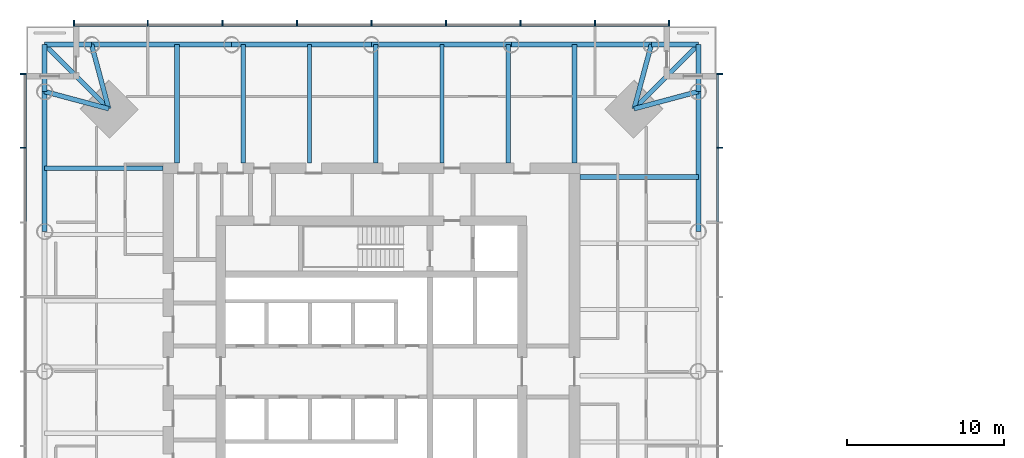
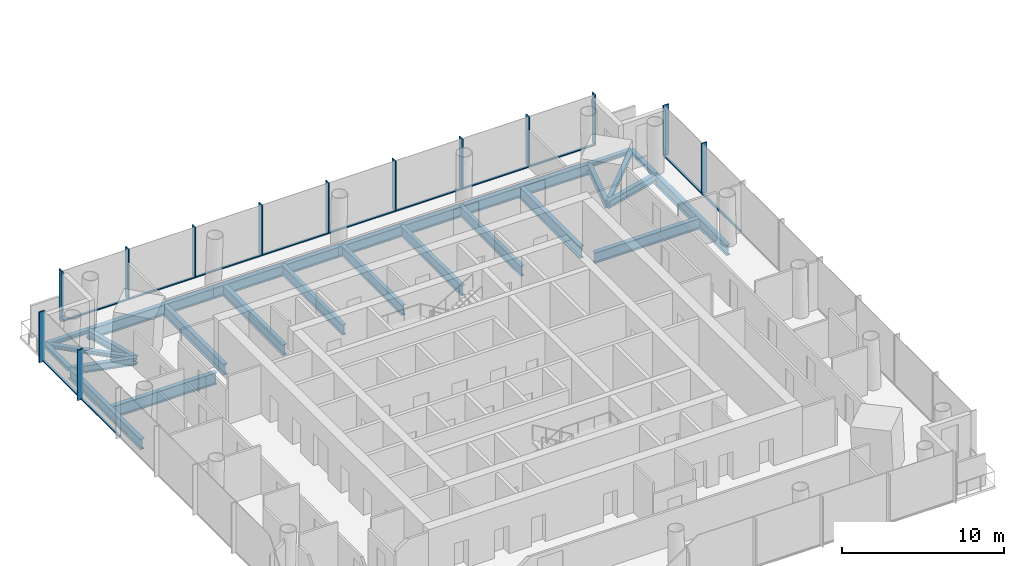
# One storey, part 3 of 19: 25 beams, 25 members, 3 elements without a shape of their own.
"""IFC4 building model written with IfcOpenShell, lengths in metres."""

from ifc_helpers import new_model, si_unit, direction, frame, origin, origin_2d, place, context, subcontext, project, spatial, rectangle, i_section, extrude, material, material_profile, profile_set, type_object, element, aggregate, save


model = new_model("IFC4")

# Units and contexts
model_context = context("Model", 3, precision=1e-05, world=origin(), true_north=direction((0.0, 1.0)))
body_context = subcontext(model_context, "Body", "Model", "MODEL_VIEW")
ifc_project = project(units=[si_unit("LENGTHUNIT", "METRE"), si_unit("AREAUNIT", "SQUARE_METRE"), si_unit("VOLUMEUNIT", "CUBIC_METRE"), si_unit("PLANEANGLEUNIT", "RADIAN"), si_unit("MASSUNIT", "GRAM", prefix="KILO")], contexts=[model_context])

# Site, building, storey
site_placement = place(None, origin())
site = spatial("IfcSite", under=ifc_project, at=site_placement, CompositionType="ELEMENT")
building_placement = place(site_placement, origin())
building = spatial("IfcBuilding", under=site, at=building_placement, Name="Ostroluk Exchange", CompositionType="ELEMENT")
storey_placement = place(building_placement, frame((0.0, 0.0, 119.800048828125)))
storey = spatial("IfcBuildingStorey", under=building, at=storey_placement, Name="L30", CompositionType="ELEMENT", Elevation=119.800048828125)

# Beams
ifc_material_1 = material(Name="Steel S355", Category="steel")
ifc_material_profile_1 = material_profile(ifc_material_1, i_section(OverallWidth=0.300048828125, OverallDepth=0.300048828125, WebThickness=0.010986328125, FlangeThickness=0.01904296875, FilletRadius=0.027099609375, at=origin_2d()), Name="HEB 300")
ifc_profile_set_1 = profile_set([ifc_material_profile_1], Name="Steel S355")
beam_type_1 = type_object("IfcBeamType", Name="Balcony beam HEB 300", PredefinedType="BEAM", material=ifc_profile_set_1)
for number, where, z_axis, x_axis, name in (
    (1, (65.8427734375, 63.8427734375, -0.330078125), (0.0, 1.0, 0.0), (-1.0, 0.0, 0.0), "T1 east balcony beam a"),
    (2, (62.8427734375, 66.8427734375, -0.330078125), (1.0, 0.0, 0.0), (0.0, 1.0, 0.0), "T1 east balcony beam b"),
):
    element("IfcBeam", number, at=place(storey_placement, frame(where, z_axis=z_axis, x_axis=x_axis)), inside=storey, type_object=beam_type_1, Name=name, PredefinedType="BEAM", context=body_context, shape_type="SweptSolid", body=[
        extrude(i_section(OverallWidth=0.300048828125, OverallDepth=0.300048828125, WebThickness=0.010986328125, FlangeThickness=0.01904296875, FilletRadius=0.027099609375, at=origin_2d()), origin(), (0.0, 0.0, 1.0), 3.0),
    ])
beam_1_placement = place(storey_placement, frame((61.742919921875, 62.742919921875, -0.330078125), z_axis=(0.707106781187, 0.707106781187, 0.0), x_axis=(-0.707106781187, 0.707106781187, 0.0)))
element("IfcBeam", 3, at=beam_1_placement, inside=storey, type_object=beam_type_1, Name="T1 east balcony beam c", PredefinedType="BEAM", context=body_context, shape_type="SweptSolid", body=[
    extrude(i_section(OverallWidth=0.300048828125, OverallDepth=0.300048828125, WebThickness=0.010986328125, FlangeThickness=0.01904296875, FilletRadius=0.027099609375, at=origin_2d()), origin(), (0.0, 0.0, 1.0), 5.798095703125),
])
for number, where, z_axis, x_axis, name in (
    (4, (27.1572265625, 66.8427734375, -0.330078125), (-1.0, 0.0, 0.0), (0.0, -1.0, 0.0), "T1 north balcony beam a"),
    (5, (24.1572265625, 63.8427734375, -0.330078125), (0.0, 1.0, 0.0), (-1.0, 0.0, 0.0), "T1 north balcony beam b"),
):
    element("IfcBeam", number, at=place(storey_placement, frame(where, z_axis=z_axis, x_axis=x_axis)), inside=storey, type_object=beam_type_1, Name=name, PredefinedType="BEAM", context=body_context, shape_type="SweptSolid", body=[
        extrude(i_section(OverallWidth=0.300048828125, OverallDepth=0.300048828125, WebThickness=0.010986328125, FlangeThickness=0.01904296875, FilletRadius=0.027099609375, at=origin_2d()), origin(), (0.0, 0.0, 1.0), 3.0),
    ])
beam_2_placement = place(storey_placement, frame((28.257080078125, 62.742919921875, -0.330078125), z_axis=(-0.707106781187, 0.707106781187, 0.0), x_axis=(-0.707106781187, -0.707106781187, 0.0)))
element("IfcBeam", 6, at=beam_2_placement, inside=storey, type_object=beam_type_1, Name="T1 north balcony beam c", PredefinedType="BEAM", context=body_context, shape_type="SweptSolid", body=[
    extrude(i_section(OverallWidth=0.300048828125, OverallDepth=0.300048828125, WebThickness=0.010986328125, FlangeThickness=0.01904296875, FilletRadius=0.027099609375, at=origin_2d()), origin(), (0.0, 0.0, 1.0), 5.798095703125),
])
ifc_material_2 = material(Name="Steel S355", Category="steel")
ifc_material_profile_2 = material_profile(ifc_material_2, i_section(OverallWidth=0.300048828125, OverallDepth=0.550048828125, WebThickness=0.014892578125, FlangeThickness=0.029052734375, FilletRadius=0.027099609375, at=origin_2d()), Name="HEB 550")
ifc_profile_set_2 = profile_set([ifc_material_profile_2], Name="Steel S355")
beam_type_2 = type_object("IfcBeamType", Name="Corner edge beam HEB 550", PredefinedType="SPANDREL", material=ifc_profile_set_2)
for number, where, z_axis, x_axis, name in (
    (7, (61.742919921875, 62.742919921875, -0.455078125), (0.965849156574, 0.259105011038, 0.0), (-0.259105011038, 0.965849156574, 0.0), "T1 east corner edge beam a"),
    (8, (61.742919921875, 62.742919921875, -0.455078125), (0.259105011038, 0.965849156574, 0.0), (-0.965849156574, 0.259105011038, 0.0), "T1 east corner edge beam b"),
    (9, (28.257080078125, 62.742919921875, -0.455078125), (-0.259105011038, 0.965849156574, 0.0), (-0.965849156574, -0.259105011038, 0.0), "T1 north corner edge beam a"),
    (10, (28.257080078125, 62.742919921875, -0.455078125), (-0.965849156574, 0.259105011038, 0.0), (-0.259105011038, -0.965849156574, 0.0), "T1 north corner edge beam b"),
):
    element("IfcBeam", number, at=place(storey_placement, frame(where, z_axis=z_axis, x_axis=x_axis)), inside=storey, type_object=beam_type_2, Name=name, PredefinedType="SPANDREL", context=body_context, shape_type="SweptSolid", body=[
        extrude(i_section(OverallWidth=0.300048828125, OverallDepth=0.550048828125, WebThickness=0.014892578125, FlangeThickness=0.029052734375, FilletRadius=0.027099609375, at=origin_2d()), origin(), (0.0, 0.0, 1.0), 4.244873046875),
    ])
ifc_material_3 = material(Name="Steel S355", Category="steel")
ifc_material_profile_3 = material_profile(ifc_material_3, i_section(OverallWidth=0.302978515625, OverallDepth=0.81396484375, WebThickness=0.02099609375, FlangeThickness=0.0400390625, FilletRadius=0.030029296875, at=origin_2d()), Name="HEM 800")
ifc_profile_set_3 = profile_set([ifc_material_profile_3], Name="Steel S355")
beam_type_3 = type_object("IfcBeamType", Name="Floor beam HEM 800", PredefinedType="BEAM", material=ifc_profile_set_3)
for number, where, z_axis, x_axis, name in (
    (11, (58.300048828125, 58.39453125, -0.587158203125), (1.0, 0.0, 0.0), (0.0, 1.0, 0.0), "T1 east floor beam 6"),
    (12, (36.829345703125, 59.300048828125, -0.587158203125), (0.0, 1.0, 0.0), (-1.0, 0.0, 0.0), "T1 north floor beam 5"),
    (13, (32.60546875, 59.300048828125, -0.587158203125), (0.0, 1.0, 0.0), (-1.0, 0.0, 0.0), "T1 north floor beam 6"),
):
    element("IfcBeam", number, at=place(storey_placement, frame(where, z_axis=z_axis, x_axis=x_axis)), inside=storey, type_object=beam_type_3, Name=name, PredefinedType="BEAM", context=body_context, shape_type="SweptSolid", body=[
        extrude(i_section(OverallWidth=0.302978515625, OverallDepth=0.81396484375, WebThickness=0.02099609375, FlangeThickness=0.0400390625, FilletRadius=0.030029296875, at=origin_2d()), origin(), (0.0, 0.0, 1.0), 7.542724609375),
    ])
ifc_material_4 = material(Name="Steel S355", Category="steel")
ifc_material_profile_4 = material_profile(ifc_material_4, i_section(OverallWidth=0.26708984375, OverallDepth=0.761962890625, WebThickness=0.014404296875, FlangeThickness=0.021484375, FilletRadius=0.01708984375, at=origin_2d()), Name="IPE 750x173")
ifc_profile_set_4 = profile_set([ifc_material_profile_4], Name="Steel S355")
beam_type_4 = type_object("IfcBeamType", Name="Floor beam IPE 750x173", PredefinedType="BEAM", material=ifc_profile_set_4)
for number, where, z_axis, x_axis, name in (
    (14, (53.725830078125, 59.300048828125, -0.56103515625), (0.0, 1.0, 0.0), (-1.0, 0.0, 0.0), "T1 north floor beam 1"),
    (15, (49.501708984375, 59.300048828125, -0.56103515625), (0.0, 1.0, 0.0), (-1.0, 0.0, 0.0), "T1 north floor beam 2"),
    (16, (45.277587890625, 59.300048828125, -0.56103515625), (0.0, 1.0, 0.0), (-1.0, 0.0, 0.0), "T1 north floor beam 3"),
    (17, (41.053466796875, 59.300048828125, -0.56103515625), (0.0, 1.0, 0.0), (-1.0, 0.0, 0.0), "T1 north floor beam 4"),
):
    element("IfcBeam", number, at=place(storey_placement, frame(where, z_axis=z_axis, x_axis=x_axis)), inside=storey, type_object=beam_type_4, Name=name, PredefinedType="BEAM", context=body_context, shape_type="SweptSolid", body=[
        extrude(i_section(OverallWidth=0.26708984375, OverallDepth=0.761962890625, WebThickness=0.014404296875, FlangeThickness=0.021484375, FilletRadius=0.01708984375, at=origin_2d()), origin(), (0.0, 0.0, 1.0), 7.542724609375),
    ])
ifc_material_5 = material(Name="Steel S355", Category="steel")
ifc_material_profile_5 = material_profile(ifc_material_5, i_section(OverallWidth=0.300048828125, OverallDepth=0.89990234375, WebThickness=0.0185546875, FlangeThickness=0.034912109375, FilletRadius=0.030029296875, at=origin_2d()), Name="HEB 900")
ifc_profile_set_5 = profile_set([ifc_material_profile_5], Name="Steel S355")
beam_type_5 = type_object("IfcBeamType", Name="Girder HEB 900", PredefinedType="BEAM", material=ifc_profile_set_5)
for number, where, z_axis, x_axis, name in (
    (18, (57.949951171875, 59.300048828125, -0.630126953125), (0.0, 1.0, 0.0), (-1.0, 0.0, 0.0), "T1 east girder"),
    (19, (31.699951171875, 58.949951171875, -0.630126953125), (-1.0, 0.0, 0.0), (0.0, -1.0, 0.0), "T1 north girder"),
):
    element("IfcBeam", number, at=place(storey_placement, frame(where, z_axis=z_axis, x_axis=x_axis)), inside=storey, type_object=beam_type_5, Name=name, PredefinedType="BEAM", context=body_context, shape_type="SweptSolid", body=[
        extrude(i_section(OverallWidth=0.300048828125, OverallDepth=0.89990234375, WebThickness=0.0185546875, FlangeThickness=0.034912109375, FilletRadius=0.030029296875, at=origin_2d()), origin(), (0.0, 0.0, 1.0), 7.542724609375),
    ])
ifc_material_6 = material(Name="Steel S355", Category="steel")
ifc_material_profile_6 = material_profile(ifc_material_6, i_section(OverallWidth=0.300048828125, OverallDepth=0.800048828125, WebThickness=0.017578125, FlangeThickness=0.032958984375, FilletRadius=0.030029296875, at=origin_2d()), Name="HEB 800")
ifc_profile_set_6 = profile_set([ifc_material_profile_6], Name="Steel S355")
beam_type_6 = type_object("IfcBeamType", Name="Moment-connected edge beam HEB 800", PredefinedType="SPANDREL", material=ifc_profile_set_6)
for number, where, z_axis, x_axis, name in (
    (20, (65.8427734375, 54.92138671875, -0.580078125), (0.0, 1.0, 0.0), (-1.0, 0.0, 0.0), "T1 east edge beam 4"),
    (21, (62.8427734375, 66.8427734375, -0.580078125), (-1.0, 0.0, 0.0), (0.0, -1.0, 0.0), "T1 north edge beam 1"),
    (22, (53.92138671875, 66.8427734375, -0.580078125), (-1.0, 0.0, 0.0), (0.0, -1.0, 0.0), "T1 north edge beam 2"),
    (23, (45.0, 66.8427734375, -0.580078125), (-1.0, 0.0, 0.0), (0.0, -1.0, 0.0), "T1 north edge beam 3"),
    (24, (36.07861328125, 66.8427734375, -0.580078125), (-1.0, 0.0, 0.0), (0.0, -1.0, 0.0), "T1 north edge beam 4"),
    (25, (24.1572265625, 63.8427734375, -0.580078125), (0.0, -1.0, 0.0), (1.0, 0.0, 0.0), "T1 west edge beam 1"),
):
    element("IfcBeam", number, at=place(storey_placement, frame(where, z_axis=z_axis, x_axis=x_axis)), inside=storey, type_object=beam_type_6, Name=name, PredefinedType="SPANDREL", context=body_context, shape_type="SweptSolid", body=[
        extrude(i_section(OverallWidth=0.300048828125, OverallDepth=0.800048828125, WebThickness=0.017578125, FlangeThickness=0.032958984375, FilletRadius=0.030029296875, at=origin_2d()), origin(), (0.0, 0.0, 1.0), 8.92138671875),
    ])

# Curtain wall, members
ifc_material_7 = material(Name="Laminated clear glass", Category="glass")
curtain_wall_type = type_object("IfcCurtainWallType", Name="Office tower facade", PredefinedType="USERDEFINED", material=ifc_material_7)
curtain_wall_1_placement = place(storey_placement, origin())
curtain_wall_1 = element("IfcCurtainWall", 26, at=curtain_wall_1_placement, inside=storey, type_object=curtain_wall_type, Name="Office tower east facade L30", ObjectType="UNITISED CURTAIN WALL", PredefinedType="USERDEFINED")
ifc_material_8 = material(Name="Aluminium mullion", Category="aluminium")
ifc_material_profile_7 = material_profile(ifc_material_8, rectangle(XDim=0.14990234375, YDim=0.080078125, at=origin_2d()), Name="Sill transom 80 x 150")
ifc_profile_set_7 = profile_set([ifc_material_profile_7], Name="Aluminium mullion")
member_type_1 = type_object("IfcMemberType", Name="Sill transom 80 x 150", PredefinedType="USERDEFINED", material=ifc_profile_set_7)
member_1_placement = place(storey_placement, frame((67.074951171875, 55.5400390625, 0.0400390625), z_axis=(0.0, 1.0, 0.0), x_axis=(-1.0, 0.0, 0.0)))
member_1 = element("IfcMember", 27, at=member_1_placement, type_object=member_type_1, Name="CW-O1 transom 7.1", ObjectType="TRANSOM", PredefinedType="USERDEFINED", context=body_context, shape_type="SweptSolid", body=[
    extrude(rectangle(XDim=0.14990234375, YDim=0.080078125, at=origin_2d()), origin(), (0.0, 0.0, 1.0), 4.669921875),
])
member_2_placement = place(storey_placement, frame((67.074951171875, 60.2900390625, 0.0400390625), z_axis=(0.0, 1.0, 0.0), x_axis=(-1.0, 0.0, 0.0)))
member_2 = element("IfcMember", 28, at=member_2_placement, type_object=member_type_1, Name="CW-O1 transom 8.1", ObjectType="TRANSOM", PredefinedType="USERDEFINED", context=body_context, shape_type="SweptSolid", body=[
    extrude(rectangle(XDim=0.14990234375, YDim=0.080078125, at=origin_2d()), origin(), (0.0, 0.0, 1.0), 4.6298828125),
])

curtain_wall_2_placement = place(storey_placement, origin())
curtain_wall_2 = element("IfcCurtainWall", 29, at=curtain_wall_2_placement, inside=storey, type_object=curtain_wall_type, Name="Office tower north facade L30", ObjectType="UNITISED CURTAIN WALL", PredefinedType="USERDEFINED")
member_3_placement = place(storey_placement, frame((63.919921875, 68.074951171875, 0.0400390625), z_axis=(-1.0, 0.0, 0.0), x_axis=(0.0, -1.0, 0.0)))
member_3 = element("IfcMember", 30, at=member_3_placement, type_object=member_type_1, Name="CW-O1 transom 1.1", ObjectType="TRANSOM", PredefinedType="USERDEFINED", context=body_context, shape_type="SweptSolid", body=[
    extrude(rectangle(XDim=0.14990234375, YDim=0.080078125, at=origin_2d()), origin(), (0.0, 0.0, 1.0), 4.6298828125),
])
member_4_placement = place(storey_placement, frame((59.2099609375, 68.074951171875, 0.0400390625), z_axis=(-1.0, 0.0, 0.0), x_axis=(0.0, -1.0, 0.0)))
member_4 = element("IfcMember", 31, at=member_4_placement, type_object=member_type_1, Name="CW-O1 transom 2.1", ObjectType="TRANSOM", PredefinedType="USERDEFINED", context=body_context, shape_type="SweptSolid", body=[
    extrude(rectangle(XDim=0.14990234375, YDim=0.080078125, at=origin_2d()), origin(), (0.0, 0.0, 1.0), 4.669921875),
])
member_5_placement = place(storey_placement, frame((54.4599609375, 68.074951171875, 0.0400390625), z_axis=(-1.0, 0.0, 0.0), x_axis=(0.0, -1.0, 0.0)))
member_5 = element("IfcMember", 32, at=member_5_placement, type_object=member_type_1, Name="CW-O1 transom 3.1", ObjectType="TRANSOM", PredefinedType="USERDEFINED", context=body_context, shape_type="SweptSolid", body=[
    extrude(rectangle(XDim=0.14990234375, YDim=0.080078125, at=origin_2d()), origin(), (0.0, 0.0, 1.0), 4.669921875),
])
member_6_placement = place(storey_placement, frame((49.7099609375, 68.074951171875, 0.0400390625), z_axis=(-1.0, 0.0, 0.0), x_axis=(0.0, -1.0, 0.0)))
member_6 = element("IfcMember", 33, at=member_6_placement, type_object=member_type_1, Name="CW-O1 transom 4.1", ObjectType="TRANSOM", PredefinedType="USERDEFINED", context=body_context, shape_type="SweptSolid", body=[
    extrude(rectangle(XDim=0.14990234375, YDim=0.080078125, at=origin_2d()), origin(), (0.0, 0.0, 1.0), 4.669921875),
])
member_7_placement = place(storey_placement, frame((44.9599609375, 68.074951171875, 0.0400390625), z_axis=(-1.0, 0.0, 0.0), x_axis=(0.0, -1.0, 0.0)))
member_7 = element("IfcMember", 34, at=member_7_placement, type_object=member_type_1, Name="CW-O1 transom 5.1", ObjectType="TRANSOM", PredefinedType="USERDEFINED", context=body_context, shape_type="SweptSolid", body=[
    extrude(rectangle(XDim=0.14990234375, YDim=0.080078125, at=origin_2d()), origin(), (0.0, 0.0, 1.0), 4.669921875),
])
member_8_placement = place(storey_placement, frame((40.2099609375, 68.074951171875, 0.0400390625), z_axis=(-1.0, 0.0, 0.0), x_axis=(0.0, -1.0, 0.0)))
member_8 = element("IfcMember", 35, at=member_8_placement, type_object=member_type_1, Name="CW-O1 transom 6.1", ObjectType="TRANSOM", PredefinedType="USERDEFINED", context=body_context, shape_type="SweptSolid", body=[
    extrude(rectangle(XDim=0.14990234375, YDim=0.080078125, at=origin_2d()), origin(), (0.0, 0.0, 1.0), 4.669921875),
])
member_9_placement = place(storey_placement, frame((35.4599609375, 68.074951171875, 0.0400390625), z_axis=(-1.0, 0.0, 0.0), x_axis=(0.0, -1.0, 0.0)))
member_9 = element("IfcMember", 36, at=member_9_placement, type_object=member_type_1, Name="CW-O1 transom 7.1", ObjectType="TRANSOM", PredefinedType="USERDEFINED", context=body_context, shape_type="SweptSolid", body=[
    extrude(rectangle(XDim=0.14990234375, YDim=0.080078125, at=origin_2d()), origin(), (0.0, 0.0, 1.0), 4.669921875),
])
member_10_placement = place(storey_placement, frame((30.7099609375, 68.074951171875, 0.0400390625), z_axis=(-1.0, 0.0, 0.0), x_axis=(0.0, -1.0, 0.0)))
member_10 = element("IfcMember", 37, at=member_10_placement, type_object=member_type_1, Name="CW-O1 transom 8.1", ObjectType="TRANSOM", PredefinedType="USERDEFINED", context=body_context, shape_type="SweptSolid", body=[
    extrude(rectangle(XDim=0.14990234375, YDim=0.080078125, at=origin_2d()), origin(), (0.0, 0.0, 1.0), 4.6298828125),
])

curtain_wall_3_placement = place(storey_placement, origin())
curtain_wall_3 = element("IfcCurtainWall", 38, at=curtain_wall_3_placement, inside=storey, type_object=curtain_wall_type, Name="Office tower west facade L30", ObjectType="UNITISED CURTAIN WALL", PredefinedType="USERDEFINED")
member_11_placement = place(storey_placement, frame((22.925048828125, 64.919921875, 0.0400390625), z_axis=(0.0, -1.0, 0.0), x_axis=(1.0, 0.0, 0.0)))
member_11 = element("IfcMember", 39, at=member_11_placement, type_object=member_type_1, Name="CW-O1 transom 1.1", ObjectType="TRANSOM", PredefinedType="USERDEFINED", context=body_context, shape_type="SweptSolid", body=[
    extrude(rectangle(XDim=0.14990234375, YDim=0.080078125, at=origin_2d()), origin(), (0.0, 0.0, 1.0), 4.6298828125),
])
member_12_placement = place(storey_placement, frame((22.925048828125, 60.2099609375, 0.0400390625), z_axis=(0.0, -1.0, 0.0), x_axis=(1.0, 0.0, 0.0)))
member_12 = element("IfcMember", 40, at=member_12_placement, type_object=member_type_1, Name="CW-O1 transom 2.1", ObjectType="TRANSOM", PredefinedType="USERDEFINED", context=body_context, shape_type="SweptSolid", body=[
    extrude(rectangle(XDim=0.14990234375, YDim=0.080078125, at=origin_2d()), origin(), (0.0, 0.0, 1.0), 4.669921875),
])

# Member
ifc_material_9 = material(Name="Aluminium mullion with limestone facing", Category="masonry")
ifc_material_profile_8 = material_profile(ifc_material_9, rectangle(XDim=0.39990234375, YDim=0.080078125, at=origin_2d()), Name="Tracery mullion 80 x 400")
ifc_profile_set_8 = profile_set([ifc_material_profile_8], Name="Aluminium mullion with limestone facing")
member_type_2 = type_object("IfcMemberType", Name="Tracery mullion 80 x 400", PredefinedType="MULLION", material=ifc_profile_set_8)
member_13_placement = place(storey_placement, frame((67.199951171875, 60.25, 0.0), z_axis=(0.0, 0.0, 1.0), x_axis=(-1.0, 0.0, 0.0)))
member_13 = element("IfcMember", 41, at=member_13_placement, type_object=member_type_2, Name="CW-O1 mullion 8", PredefinedType="MULLION", context=body_context, shape_type="SweptSolid", body=[
    extrude(rectangle(XDim=0.39990234375, YDim=0.080078125, at=origin_2d()), origin(), (0.0, 0.0, 1.0), 3.800048828125),
])

member_14_placement = place(storey_placement, frame((67.199951171875, 64.9599609375, 0.0), z_axis=(0.0, 0.0, 1.0), x_axis=(-1.0, 0.0, 0.0)))
member_14 = element("IfcMember", 42, at=member_14_placement, type_object=member_type_2, Name="CW-O1 mullion 9", PredefinedType="MULLION", context=body_context, shape_type="SweptSolid", body=[
    extrude(rectangle(XDim=0.39990234375, YDim=0.080078125, at=origin_2d()), origin(), (0.0, 0.0, 1.0), 3.800048828125),
])

aggregate(curtain_wall_1, [member_13, member_14, member_1, member_2])

member_15_placement = place(storey_placement, frame((63.9599609375, 68.199951171875, 0.0), z_axis=(0.0, 0.0, 1.0), x_axis=(0.0, -1.0, 0.0)))
member_15 = element("IfcMember", 43, at=member_15_placement, type_object=member_type_2, Name="CW-O1 mullion 1", PredefinedType="MULLION", context=body_context, shape_type="SweptSolid", body=[
    extrude(rectangle(XDim=0.39990234375, YDim=0.080078125, at=origin_2d()), origin(), (0.0, 0.0, 1.0), 3.800048828125),
])

member_16_placement = place(storey_placement, frame((59.25, 68.199951171875, 0.0), z_axis=(0.0, 0.0, 1.0), x_axis=(0.0, -1.0, 0.0)))
member_16 = element("IfcMember", 44, at=member_16_placement, type_object=member_type_2, Name="CW-O1 mullion 2", PredefinedType="MULLION", context=body_context, shape_type="SweptSolid", body=[
    extrude(rectangle(XDim=0.39990234375, YDim=0.080078125, at=origin_2d()), origin(), (0.0, 0.0, 1.0), 3.800048828125),
])

member_17_placement = place(storey_placement, frame((54.5, 68.199951171875, 0.0), z_axis=(0.0, 0.0, 1.0), x_axis=(0.0, -1.0, 0.0)))
member_17 = element("IfcMember", 45, at=member_17_placement, type_object=member_type_2, Name="CW-O1 mullion 3", PredefinedType="MULLION", context=body_context, shape_type="SweptSolid", body=[
    extrude(rectangle(XDim=0.39990234375, YDim=0.080078125, at=origin_2d()), origin(), (0.0, 0.0, 1.0), 3.800048828125),
])

member_18_placement = place(storey_placement, frame((49.75, 68.199951171875, 0.0), z_axis=(0.0, 0.0, 1.0), x_axis=(0.0, -1.0, 0.0)))
member_18 = element("IfcMember", 46, at=member_18_placement, type_object=member_type_2, Name="CW-O1 mullion 4", PredefinedType="MULLION", context=body_context, shape_type="SweptSolid", body=[
    extrude(rectangle(XDim=0.39990234375, YDim=0.080078125, at=origin_2d()), origin(), (0.0, 0.0, 1.0), 3.800048828125),
])

member_19_placement = place(storey_placement, frame((45.0, 68.199951171875, 0.0), z_axis=(0.0, 0.0, 1.0), x_axis=(0.0, -1.0, 0.0)))
member_19 = element("IfcMember", 47, at=member_19_placement, type_object=member_type_2, Name="CW-O1 mullion 5", PredefinedType="MULLION", context=body_context, shape_type="SweptSolid", body=[
    extrude(rectangle(XDim=0.39990234375, YDim=0.080078125, at=origin_2d()), origin(), (0.0, 0.0, 1.0), 3.800048828125),
])

member_20_placement = place(storey_placement, frame((40.25, 68.199951171875, 0.0), z_axis=(0.0, 0.0, 1.0), x_axis=(0.0, -1.0, 0.0)))
member_20 = element("IfcMember", 48, at=member_20_placement, type_object=member_type_2, Name="CW-O1 mullion 6", PredefinedType="MULLION", context=body_context, shape_type="SweptSolid", body=[
    extrude(rectangle(XDim=0.39990234375, YDim=0.080078125, at=origin_2d()), origin(), (0.0, 0.0, 1.0), 3.800048828125),
])

member_21_placement = place(storey_placement, frame((35.5, 68.199951171875, 0.0), z_axis=(0.0, 0.0, 1.0), x_axis=(0.0, -1.0, 0.0)))
member_21 = element("IfcMember", 49, at=member_21_placement, type_object=member_type_2, Name="CW-O1 mullion 7", PredefinedType="MULLION", context=body_context, shape_type="SweptSolid", body=[
    extrude(rectangle(XDim=0.39990234375, YDim=0.080078125, at=origin_2d()), origin(), (0.0, 0.0, 1.0), 3.800048828125),
])

member_22_placement = place(storey_placement, frame((30.75, 68.199951171875, 0.0), z_axis=(0.0, 0.0, 1.0), x_axis=(0.0, -1.0, 0.0)))
member_22 = element("IfcMember", 50, at=member_22_placement, type_object=member_type_2, Name="CW-O1 mullion 8", PredefinedType="MULLION", context=body_context, shape_type="SweptSolid", body=[
    extrude(rectangle(XDim=0.39990234375, YDim=0.080078125, at=origin_2d()), origin(), (0.0, 0.0, 1.0), 3.800048828125),
])

member_23_placement = place(storey_placement, frame((26.0400390625, 68.199951171875, 0.0), z_axis=(0.0, 0.0, 1.0), x_axis=(0.0, -1.0, 0.0)))
member_23 = element("IfcMember", 51, at=member_23_placement, type_object=member_type_2, Name="CW-O1 mullion 9", PredefinedType="MULLION", context=body_context, shape_type="SweptSolid", body=[
    extrude(rectangle(XDim=0.39990234375, YDim=0.080078125, at=origin_2d()), origin(), (0.0, 0.0, 1.0), 3.800048828125),
])

aggregate(curtain_wall_2, [member_15, member_16, member_17, member_18, member_19, member_20, member_21, member_22, member_23, member_3, member_4, member_5, member_6, member_7, member_8, member_9, member_10])

member_24_placement = place(storey_placement, frame((22.800048828125, 64.9599609375, 0.0), z_axis=(0.0, 0.0, 1.0), x_axis=(1.0, 0.0, 0.0)))
member_24 = element("IfcMember", 52, at=member_24_placement, type_object=member_type_2, Name="CW-O1 mullion 1", PredefinedType="MULLION", context=body_context, shape_type="SweptSolid", body=[
    extrude(rectangle(XDim=0.39990234375, YDim=0.080078125, at=origin_2d()), origin(), (0.0, 0.0, 1.0), 3.800048828125),
])

member_25_placement = place(storey_placement, frame((22.800048828125, 60.25, 0.0), z_axis=(0.0, 0.0, 1.0), x_axis=(1.0, 0.0, 0.0)))
member_25 = element("IfcMember", 53, at=member_25_placement, type_object=member_type_2, Name="CW-O1 mullion 2", PredefinedType="MULLION", context=body_context, shape_type="SweptSolid", body=[
    extrude(rectangle(XDim=0.39990234375, YDim=0.080078125, at=origin_2d()), origin(), (0.0, 0.0, 1.0), 3.800048828125),
])

aggregate(curtain_wall_3, [member_24, member_25, member_11, member_12])

save(model, "model.ifc")
